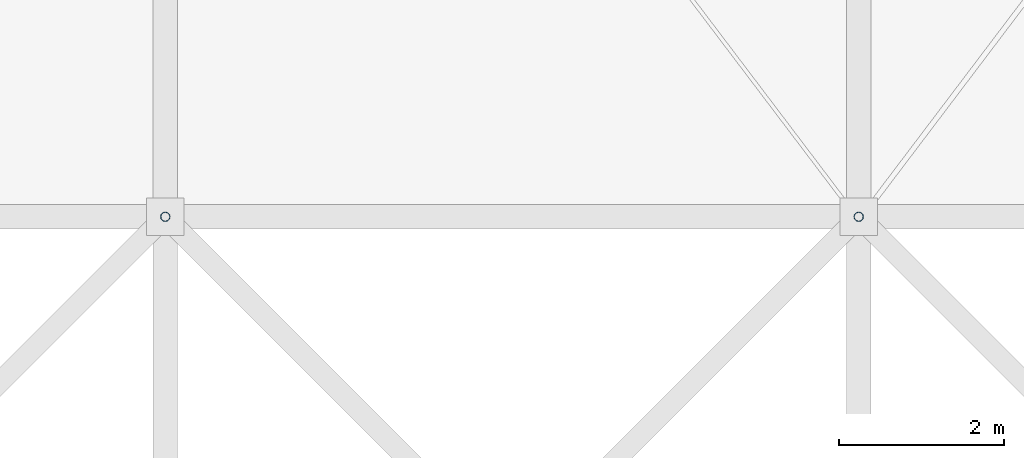
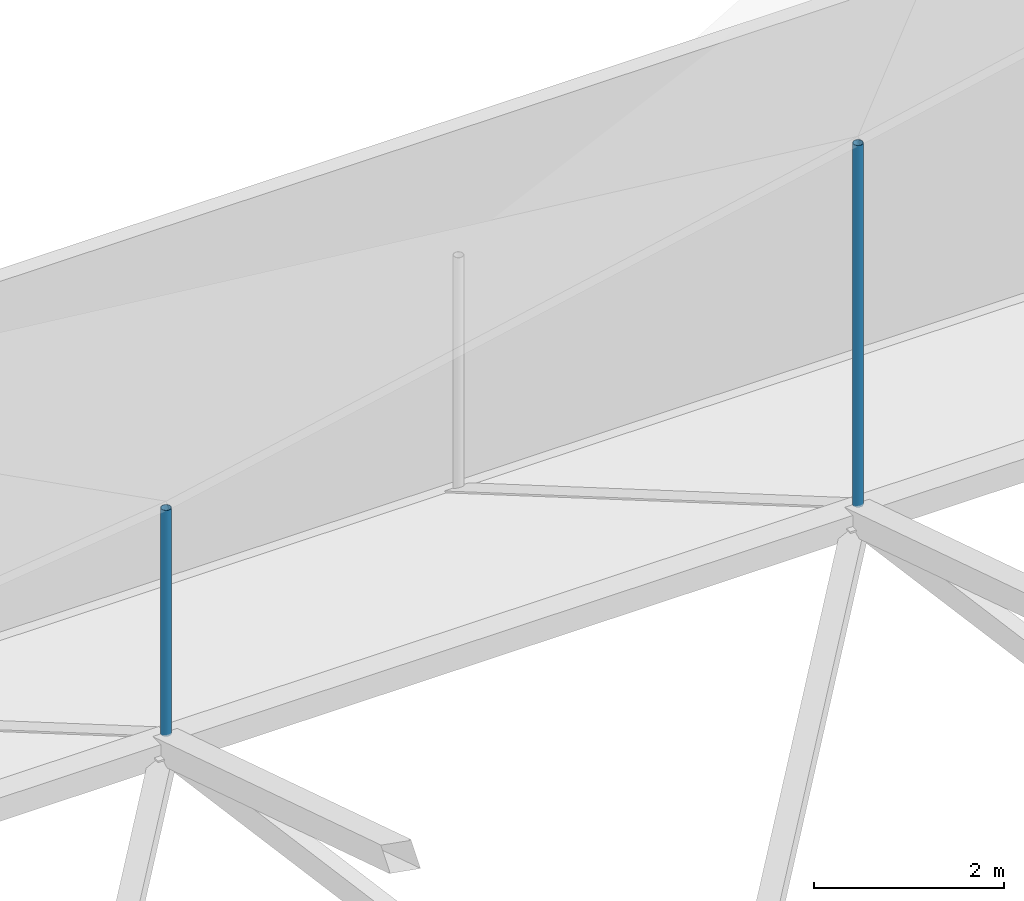
# One storey, part 91 of 111: 2 discrete accessories.
"""IFC4 building model written with IfcOpenShell, lengths in metres."""

from ifc_helpers import new_model, si_unit, direction, frame, origin, origin_2d, place, context, subcontext, project, spatial, hollow_circle, extrude, material, material_profile, profile_set, type_object, element, save


model = new_model("IFC4")

# Units and contexts
model_context = context("Model", 3, precision=1e-05, world=origin(), true_north=direction((0.0, 1.0)))
body_context = subcontext(model_context, "Body", "Model", "MODEL_VIEW")
ifc_project = project(units=[si_unit("LENGTHUNIT", "METRE"), si_unit("AREAUNIT", "SQUARE_METRE"), si_unit("VOLUMEUNIT", "CUBIC_METRE"), si_unit("PLANEANGLEUNIT", "RADIAN"), si_unit("MASSUNIT", "GRAM", prefix="KILO")], contexts=[model_context])

# Site, building, storey
site_placement = place(None, origin())
site = spatial("IfcSite", under=ifc_project, at=site_placement, CompositionType="ELEMENT")
building_placement = place(site_placement, origin())
building = spatial("IfcBuilding", under=site, at=building_placement, Name="Rain Tree Exposition and Congress Centre", CompositionType="ELEMENT")
storey_placement = place(building_placement, frame((0.0, 0.0, 19.5)))
storey = spatial("IfcBuildingStorey", under=building, at=storey_placement, Name="RF", CompositionType="ELEMENT", Elevation=19.5)

# Discrete accessories
ifc_material = material(Name="Steel S355J2H", Category="steel")
ifc_material_profile = material_profile(ifc_material, hollow_circle(Radius=0.05712890625, WallThickness=0.00439453125, at=origin_2d()), Name="CHS 114x4.5")
ifc_profile_set = profile_set([ifc_material_profile], Name="Steel S355J2H")
discrete_accessory_type = type_object("IfcDiscreteAccessoryType", Name="Roof skin post CHS 114x4.5", PredefinedType="BRACKET", material=ifc_profile_set)
discrete_accessory_1_placement = place(storey_placement, frame((159.60009765625, 193.199951171875, 5.39404296875), z_axis=(0.0, 0.0, 1.0), x_axis=(1.0, 0.0, 0.0)))
element("IfcDiscreteAccessory", 1, at=discrete_accessory_1_placement, inside=storey, type_object=discrete_accessory_type, Name="Roof skin post B146", PredefinedType="BRACKET", context=body_context, shape_type="SweptSolid", body=[
    extrude(hollow_circle(Radius=0.05712890625, WallThickness=0.00439453125, at=origin_2d()), origin(), (0.0, 0.0, 1.0), 2.9013671875),
])
discrete_accessory_2_placement = place(storey_placement, frame((168.0, 193.199951171875, 5.39404296875), z_axis=(0.0, 0.0, 1.0), x_axis=(1.0, 0.0, 0.0)))
element("IfcDiscreteAccessory", 2, at=discrete_accessory_2_placement, inside=storey, type_object=discrete_accessory_type, Name="Roof skin post B147", PredefinedType="BRACKET", context=body_context, shape_type="SweptSolid", body=[
    extrude(hollow_circle(Radius=0.05712890625, WallThickness=0.00439453125, at=origin_2d()), origin(), (0.0, 0.0, 1.0), 4.643310546875),
])

save(model, "model.ifc")
